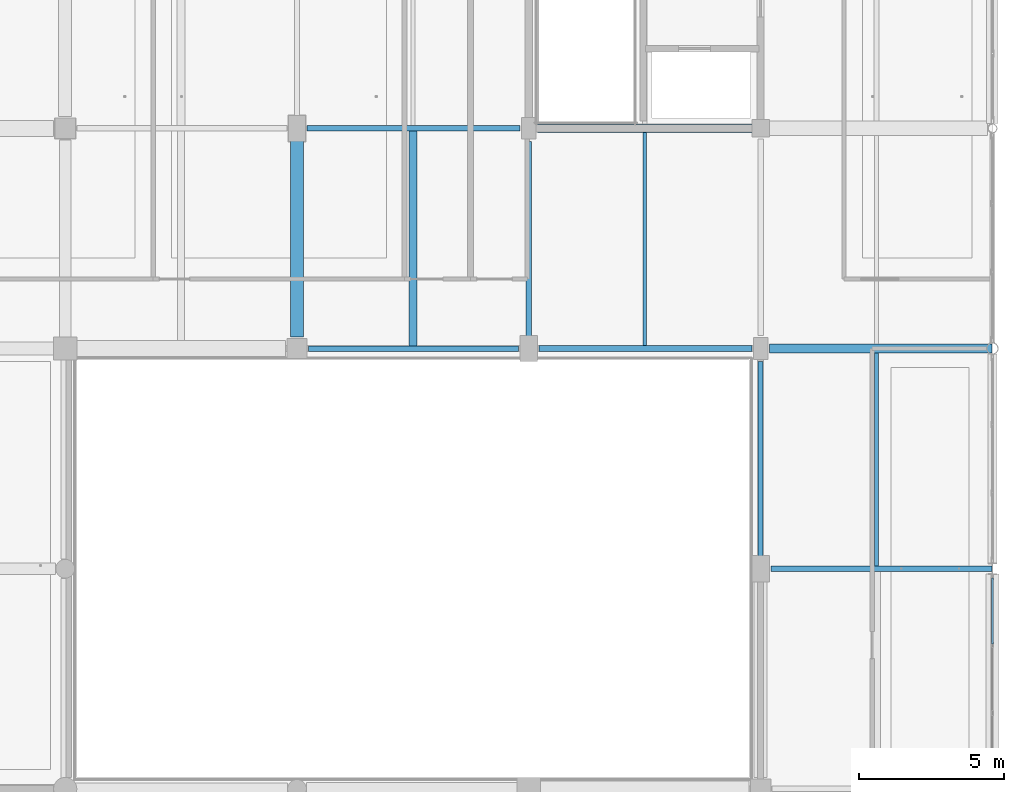
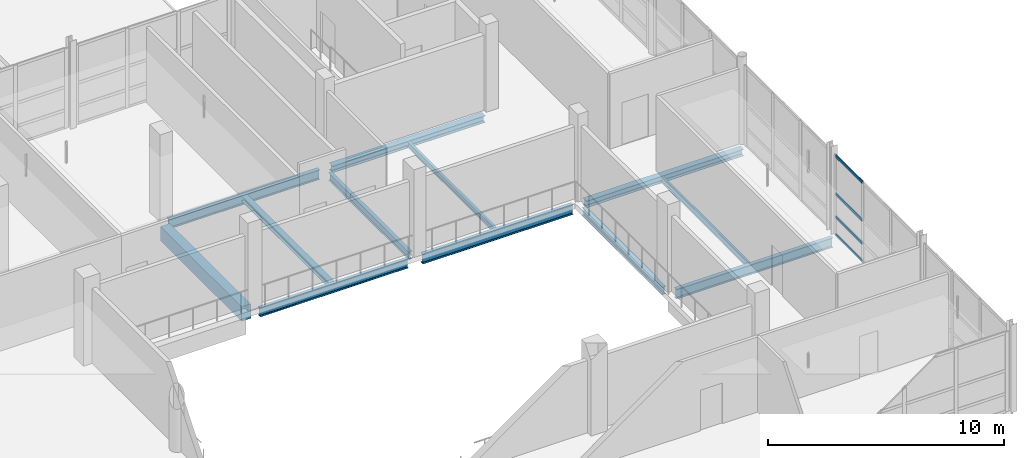
# One storey, part 39 of 107: 12 beams, 4 members, 1 element without a shape of its own.
"""IFC4 building model written with IfcOpenShell, lengths in metres."""

from ifc_helpers import new_model, si_unit, direction, frame, origin, origin_2d, place, context, subcontext, project, spatial, rectangle, hollow_rectangle, i_section, extrude, material, material_profile, profile_set, type_object, element, aggregate, save


model = new_model("IFC4")

# Units and contexts
model_context = context("Model", 3, precision=1e-05, world=origin(), true_north=direction((0.0, 1.0)))
body_context = subcontext(model_context, "Body", "Model", "MODEL_VIEW")
ifc_project = project(units=[si_unit("LENGTHUNIT", "METRE"), si_unit("AREAUNIT", "SQUARE_METRE"), si_unit("VOLUMEUNIT", "CUBIC_METRE"), si_unit("PLANEANGLEUNIT", "RADIAN"), si_unit("MASSUNIT", "GRAM", prefix="KILO")], contexts=[model_context])

# Site, building, storey
site_placement = place(None, origin())
site = spatial("IfcSite", under=ifc_project, at=site_placement, CompositionType="ELEMENT")
building_placement = place(site_placement, origin())
building = spatial("IfcBuilding", under=site, at=building_placement, Name="Khelvaren Railside Concert Hall", CompositionType="ELEMENT")
storey_placement = place(building_placement, frame((0.0, 0.0, 15.0)))
storey = spatial("IfcBuildingStorey", under=building, at=storey_placement, Name="L03", CompositionType="ELEMENT", Elevation=15.0)

# Beams
ifc_material_1 = material(Name="Steel S355", Category="steel")
ifc_material_profile_1 = material_profile(ifc_material_1, i_section(OverallWidth=0.179931640625, OverallDepth=0.39990234375, WebThickness=0.008544921875, FlangeThickness=0.013427734375, FilletRadius=0.02099609375, at=origin_2d()), Name="IPE 400")
ifc_profile_set_1 = profile_set([ifc_material_profile_1], Name="Steel S355")
beam_type_1 = type_object("IfcBeamType", Name="BM29", PredefinedType="BEAM", material=ifc_profile_set_1)
for number, where, z_axis, x_axis, name in (
    (1, (168.0, 23.14990234375, -0.47998046875), (0.0, 1.0, 0.0), (-1.0, 0.0, 0.0), "V2 L03 Beam Y4.4"),
    (2, (176.0, 15.550048828125, -0.47998046875), (0.0, 1.0, 0.0), (-1.0, 0.0, 0.0), "V2 L03 Beam Y5.3"),
):
    element("IfcBeam", number, at=place(storey_placement, frame(where, z_axis=z_axis, x_axis=x_axis)), inside=storey, type_object=beam_type_1, Name=name, PredefinedType="BEAM", context=body_context, shape_type="SweptSolid", body=[
        extrude(i_section(OverallWidth=0.179931640625, OverallDepth=0.39990234375, WebThickness=0.008544921875, FlangeThickness=0.013427734375, FilletRadius=0.02099609375, at=origin_2d()), origin(), (0.0, 0.0, 1.0), 6.800048828125),
    ])
ifc_material_profile_2 = material_profile(ifc_material_1, i_section(OverallWidth=0.199951171875, OverallDepth=0.5, WebThickness=0.01025390625, FlangeThickness=0.01611328125, FilletRadius=0.02099609375, at=origin_2d()), Name="IPE 500")
ifc_profile_set_2 = profile_set([ifc_material_profile_2], Name="Steel S355")
beam_type_2 = type_object("IfcBeamType", Name="BM62", PredefinedType="BEAM", material=ifc_profile_set_2)
beam_1_placement = place(storey_placement, frame((176.35009765625, 15.199951171875, -0.530029296875), z_axis=(1.0, 0.0, 0.0), x_axis=(0.0, 1.0, 0.0)))
element("IfcBeam", 3, at=beam_1_placement, inside=storey, type_object=beam_type_2, Name="V2 L03 Beam X3.5", PredefinedType="BEAM", context=body_context, shape_type="SweptSolid", body=[
    extrude(i_section(OverallWidth=0.199951171875, OverallDepth=0.5, WebThickness=0.01025390625, FlangeThickness=0.01611328125, FilletRadius=0.02099609375, at=origin_2d()), origin(), (0.0, 0.0, 1.0), 7.639892578125),
])
for number, where, z_axis, x_axis, name in (
    (4, (168.35009765625, 22.800048828125, -0.530029296875), (1.0, 0.0, 0.0), (0.0, 1.0, 0.0), "V2 L03 Beam X4.4"),
    (5, (160.35009765625, 30.39990234375, -0.530029296875), (1.0, 0.0, 0.0), (0.0, 1.0, 0.0), "V2 L03 Beam X5.3"),
):
    element("IfcBeam", number, at=place(storey_placement, frame(where, z_axis=z_axis, x_axis=x_axis)), inside=storey, type_object=beam_type_2, Name=name, PredefinedType="BEAM", context=body_context, shape_type="SweptSolid", body=[
        extrude(i_section(OverallWidth=0.199951171875, OverallDepth=0.5, WebThickness=0.01025390625, FlangeThickness=0.01611328125, FilletRadius=0.02099609375, at=origin_2d()), origin(), (0.0, 0.0, 1.0), 7.349853515625),
    ])
ifc_material_profile_3 = material_profile(ifc_material_1, i_section(OverallWidth=0.300048828125, OverallDepth=0.35009765625, WebThickness=0.010009765625, FlangeThickness=0.017578125, FilletRadius=0.027099609375, at=origin_2d()), Name="HEA 360")
ifc_profile_set_3 = profile_set([ifc_material_profile_3], Name="Steel S355")
beam_type_3 = type_object("IfcBeamType", Name="BM73", PredefinedType="BEAM", material=ifc_profile_set_3)
beam_2_placement = place(storey_placement, frame((176.300048828125, 22.800048828125, -0.455078125), z_axis=(1.0, 0.0, 0.0), x_axis=(0.0, 1.0, 0.0)))
element("IfcBeam", 6, at=beam_2_placement, inside=storey, type_object=beam_type_3, Name="V2 L03 Beam X4.5", PredefinedType="BEAM", context=body_context, shape_type="SweptSolid", body=[
    extrude(i_section(OverallWidth=0.300048828125, OverallDepth=0.35009765625, WebThickness=0.010009765625, FlangeThickness=0.017578125, FilletRadius=0.027099609375, at=origin_2d()), origin(), (0.0, 0.0, 1.0), 7.68994140625),
])
beam_3_placement = place(storey_placement, frame((168.300048828125, 30.39990234375, -0.455078125), z_axis=(1.0, 0.0, 0.0), x_axis=(0.0, 1.0, 0.0)))
element("IfcBeam", 7, at=beam_3_placement, inside=storey, type_object=beam_type_3, Name="V2 L03 Beam X5.4", PredefinedType="BEAM", context=body_context, shape_type="SweptSolid", body=[
    extrude(i_section(OverallWidth=0.300048828125, OverallDepth=0.35009765625, WebThickness=0.010009765625, FlangeThickness=0.017578125, FilletRadius=0.027099609375, at=origin_2d()), origin(), (0.0, 0.0, 1.0), 7.449951171875),
])
ifc_material_2 = material(Name="Concrete C40/50", Category="concrete")
ifc_material_profile_4 = material_profile(ifc_material_2, rectangle(XDim=0.449951171875, YDim=0.75, at=origin_2d()), Name="RCB 450x750")
ifc_profile_set_4 = profile_set([ifc_material_profile_4], Name="Concrete C40/50")
beam_type_4 = type_object("IfcBeamType", Name="BM83", PredefinedType="BEAM", material=ifc_profile_set_4)
beam_4_placement = place(storey_placement, frame((160.0, 23.199951171875, -0.655029296875), z_axis=(0.0, 1.0, 0.0), x_axis=(-1.0, 0.0, 0.0)))
element("IfcBeam", 8, at=beam_4_placement, inside=storey, type_object=beam_type_4, Name="V2 L03 Beam Y3.4", PredefinedType="BEAM", context=body_context, shape_type="SweptSolid", body=[
    extrude(rectangle(XDim=0.449951171875, YDim=0.75, at=origin_2d()), origin(), (0.0, 0.0, 1.0), 6.85009765625),
])
ifc_material_profile_5 = material_profile(ifc_material_1, i_section(OverallWidth=0.18994140625, OverallDepth=0.449951171875, WebThickness=0.009521484375, FlangeThickness=0.0146484375, FilletRadius=0.02099609375, at=origin_2d()), Name="IPE 450")
ifc_profile_set_5 = profile_set([ifc_material_profile_5], Name="Steel S355")
beam_type_5 = type_object("IfcBeamType", Name="BM95", PredefinedType="BEAM", material=ifc_profile_set_5)
beam_5_placement = place(storey_placement, frame((160.39990234375, 22.800048828125, -0.5048828125), z_axis=(1.0, 0.0, 0.0), x_axis=(0.0, 1.0, 0.0)))
element("IfcBeam", 9, at=beam_5_placement, inside=storey, type_object=beam_type_5, Name="V2 L03 Beam X4.3", PredefinedType="BEAM", context=body_context, shape_type="SweptSolid", body=[
    extrude(i_section(OverallWidth=0.18994140625, OverallDepth=0.449951171875, WebThickness=0.009521484375, FlangeThickness=0.0146484375, FilletRadius=0.02099609375, at=origin_2d()), origin(), (0.0, 0.0, 1.0), 7.25),
])

# Curtain wall, members
ifc_material_3 = material(Name="Double-glazed low-E dark acoustic glass", Category="glass")
curtain_wall_type = type_object("IfcCurtainWallType", Name="CW69", PredefinedType="USERDEFINED", material=ifc_material_3)
curtain_wall_placement = place(storey_placement, origin())
curtain_wall = element("IfcCurtainWall", 10, at=curtain_wall_placement, inside=storey, type_object=curtain_wall_type, Name="Unitised Curtain Wall CW-V2-L03-E-8", ObjectType="UNITISED CURTAIN WALL", PredefinedType="USERDEFINED")
ifc_material_4 = material(Name="Anodised architectural aluminium 6063-T6", Category="aluminium")
ifc_material_profile_6 = material_profile(ifc_material_4, hollow_rectangle(XDim=0.06494140625, YDim=0.139892578125, WallThickness=0.00390625, InnerFilletRadius=0.001953125, OuterFilletRadius=0.00390625, at=origin_2d()), Name="CWT 65x140x4")
ifc_profile_set_6 = profile_set([ifc_material_profile_6], Name="Anodised architectural aluminium 6063-T6")
member_type = type_object("IfcMemberType", Name="CWT72", PredefinedType="USERDEFINED", material=ifc_profile_set_6)
member_1_placement = place(storey_placement, frame((184.0, 14.87255859375, 0.032470703125), z_axis=(0.0, -1.0, 0.0), x_axis=(1.0, 0.0, 0.0)))
member_1 = element("IfcMember", 11, at=member_1_placement, type_object=member_type, Name="CW69 transom 1.1", ObjectType="TRANSOM", PredefinedType="USERDEFINED", context=body_context, shape_type="SweptSolid", body=[
    extrude(hollow_rectangle(XDim=0.06494140625, YDim=0.139892578125, WallThickness=0.00390625, InnerFilletRadius=0.001953125, OuterFilletRadius=0.00390625, at=origin_2d()), origin(), (0.0, 0.0, 1.0), 2.265869140625),
])
member_2_placement = place(storey_placement, frame((184.0, 14.87255859375, 0.949951171875), z_axis=(0.0, -1.0, 0.0), x_axis=(1.0, 0.0, 0.0)))
member_2 = element("IfcMember", 12, at=member_2_placement, type_object=member_type, Name="CW69 transom 1.2", ObjectType="TRANSOM", PredefinedType="USERDEFINED", context=body_context, shape_type="SweptSolid", body=[
    extrude(hollow_rectangle(XDim=0.06494140625, YDim=0.139892578125, WallThickness=0.00390625, InnerFilletRadius=0.001953125, OuterFilletRadius=0.00390625, at=origin_2d()), origin(), (0.0, 0.0, 1.0), 2.265869140625),
])
member_3_placement = place(storey_placement, frame((184.0, 14.87255859375, 2.142333984375), z_axis=(0.0, -1.0, 0.0), x_axis=(1.0, 0.0, 0.0)))
member_3 = element("IfcMember", 13, at=member_3_placement, type_object=member_type, Name="CW69 transom 1.3", ObjectType="TRANSOM", PredefinedType="USERDEFINED", context=body_context, shape_type="SweptSolid", body=[
    extrude(hollow_rectangle(XDim=0.06494140625, YDim=0.139892578125, WallThickness=0.00390625, InnerFilletRadius=0.001953125, OuterFilletRadius=0.00390625, at=origin_2d()), origin(), (0.0, 0.0, 1.0), 2.265869140625),
])
member_4_placement = place(storey_placement, frame((184.0, 14.87255859375, 4.08740234375), z_axis=(0.0, -1.0, 0.0), x_axis=(1.0, 0.0, 0.0)))
member_4 = element("IfcMember", 14, at=member_4_placement, type_object=member_type, Name="CW69 transom 1.4", ObjectType="TRANSOM", PredefinedType="USERDEFINED", context=body_context, shape_type="SweptSolid", body=[
    extrude(hollow_rectangle(XDim=0.06494140625, YDim=0.139892578125, WallThickness=0.00390625, InnerFilletRadius=0.001953125, OuterFilletRadius=0.00390625, at=origin_2d()), origin(), (0.0, 0.0, 1.0), 2.265869140625),
])
aggregate(curtain_wall, [member_1, member_2, member_3, member_4])

# Beams
ifc_material_profile_7 = material_profile(ifc_material_1, i_section(OverallWidth=0.280029296875, OverallDepth=0.27001953125, WebThickness=0.008056640625, FlangeThickness=0.012939453125, FilletRadius=0.02392578125, at=origin_2d()), Name="HEA 280")
ifc_profile_set_7 = profile_set([ifc_material_profile_7], Name="Steel S355")
beam_type_6 = type_object("IfcBeamType", Name="JS46", PredefinedType="JOIST", material=ifc_profile_set_7)
beam_6_placement = place(storey_placement, frame((164.0, 22.89501953125, -0.4150390625), z_axis=(0.0, 1.0, 0.0), x_axis=(-1.0, 0.0, 0.0)))
element("IfcBeam", 15, at=beam_6_placement, inside=storey, type_object=beam_type_6, Name="V2 L03 Secondary Joist 3.4", PredefinedType="JOIST", context=body_context, shape_type="SweptSolid", body=[
    extrude(i_section(OverallWidth=0.280029296875, OverallDepth=0.27001953125, WebThickness=0.008056640625, FlangeThickness=0.012939453125, FilletRadius=0.02392578125, at=origin_2d()), origin(), (0.0, 0.0, 1.0), 7.405029296875),
])
ifc_material_profile_8 = material_profile(ifc_material_1, i_section(OverallWidth=0.135009765625, OverallDepth=0.27001953125, WebThickness=0.006591796875, FlangeThickness=0.01025390625, FilletRadius=0.014892578125, at=origin_2d()), Name="IPE 270")
ifc_profile_set_8 = profile_set([ifc_material_profile_8], Name="Steel S355")
beam_type_7 = type_object("IfcBeamType", Name="JS78", PredefinedType="JOIST", material=ifc_profile_set_8)
beam_7_placement = place(storey_placement, frame((172.0, 22.89990234375, -0.4150390625), z_axis=(0.0, 1.0, 0.0), x_axis=(-1.0, 0.0, 0.0)))
element("IfcBeam", 16, at=beam_7_placement, inside=storey, type_object=beam_type_7, Name="V2 L03 Secondary Joist 4.4", PredefinedType="JOIST", context=body_context, shape_type="SweptSolid", body=[
    extrude(i_section(OverallWidth=0.135009765625, OverallDepth=0.27001953125, WebThickness=0.006591796875, FlangeThickness=0.01025390625, FilletRadius=0.014892578125, at=origin_2d()), origin(), (0.0, 0.0, 1.0), 7.35009765625),
])
beam_8_placement = place(storey_placement, frame((180.0, 15.300048828125, -0.4150390625), z_axis=(0.0, 1.0, 0.0), x_axis=(-1.0, 0.0, 0.0)))
element("IfcBeam", 17, at=beam_8_placement, inside=storey, type_object=beam_type_7, Name="V2 L03 Secondary Joist 5.3", PredefinedType="JOIST", context=body_context, shape_type="SweptSolid", body=[
    extrude(i_section(OverallWidth=0.135009765625, OverallDepth=0.27001953125, WebThickness=0.006591796875, FlangeThickness=0.01025390625, FilletRadius=0.014892578125, at=origin_2d()), origin(), (0.0, 0.0, 1.0), 7.349853515625),
])

save(model, "model.ifc")
